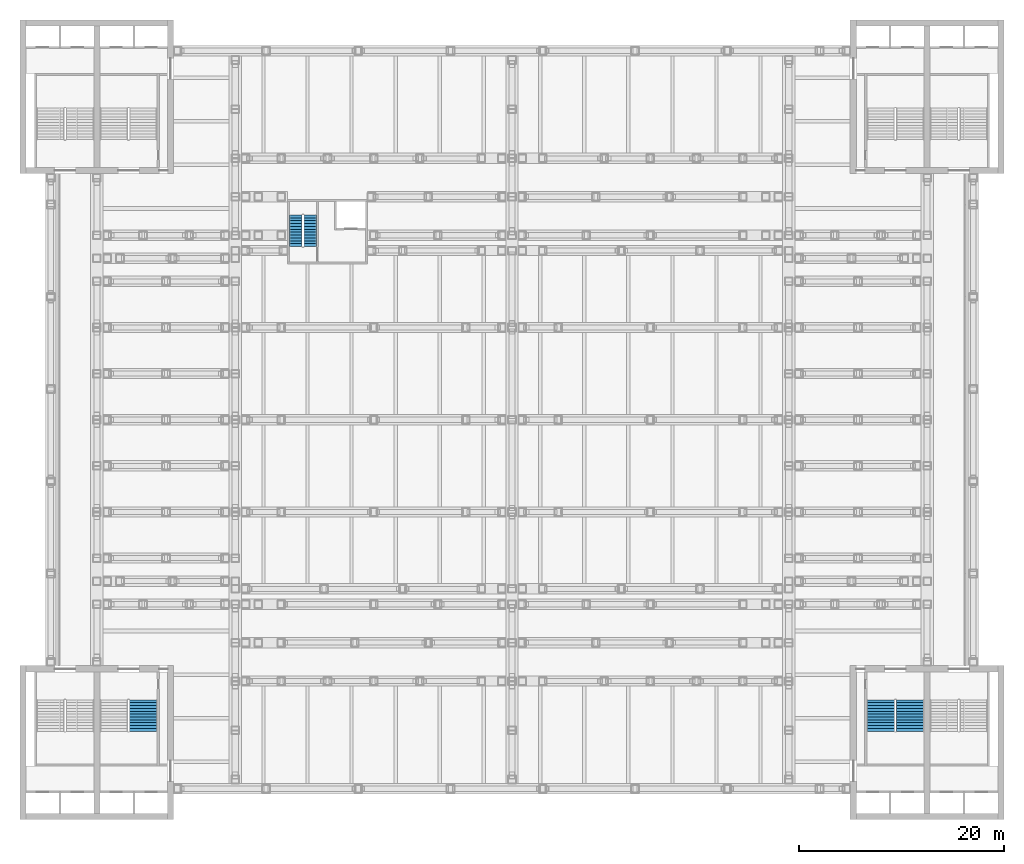
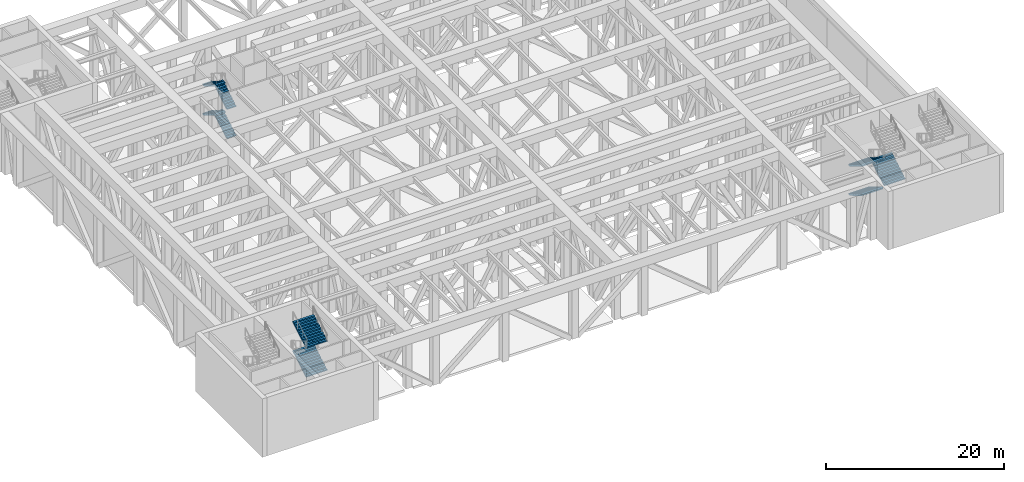
# One storey, part 13 of 20: 9 stair flights, 3 elements without a shape of their own.
"""IFC4 building model written with IfcOpenShell, lengths in metres."""

from ifc_helpers import new_model, si_unit, direction, frame, origin, place, context, subcontext, project, spatial, polyline, outline, extrude, material, type_object, element, aggregate, save


model = new_model("IFC4")

# Units and contexts
model_context = context("Model", 3, precision=1e-05, world=origin(), true_north=direction((0.0, 1.0)))
body_context = subcontext(model_context, "Body", "Model", "MODEL_VIEW")
ifc_project = project(units=[si_unit("LENGTHUNIT", "METRE"), si_unit("AREAUNIT", "SQUARE_METRE"), si_unit("VOLUMEUNIT", "CUBIC_METRE"), si_unit("PLANEANGLEUNIT", "RADIAN"), si_unit("MASSUNIT", "GRAM", prefix="KILO")], contexts=[model_context])

# Site, building, storey
site_placement = place(None, origin())
site = spatial("IfcSite", under=ifc_project, at=site_placement, CompositionType="ELEMENT")
building_placement = place(site_placement, origin())
building = spatial("IfcBuilding", under=site, at=building_placement, Name="Corbelhall Arena Tower", CompositionType="ELEMENT")
storey_placement = place(building_placement, frame((0.0, 0.0, 44.0)))
storey = spatial("IfcBuildingStorey", under=building, at=storey_placement, Name="L06", CompositionType="ELEMENT", Elevation=44.0)

# Stair, stair flights
ifc_material_1 = material(Name="Reinforced concrete C40/50", Category="concrete")
stair_type_1 = type_object("IfcStairType", Name="AR-EXIT-STAIR", PredefinedType="HALF_TURN_STAIR", material=ifc_material_1)
stair_1_placement = place(storey_placement, origin())
stair_1 = element("IfcStair", 1, at=stair_1_placement, inside=storey, type_object=stair_type_1, Name="L06 exit stair AS5", PredefinedType="HALF_TURN_STAIR")
stair_flight_type_1 = type_object("IfcStairFlightType", Name="AR-EXIT-FLIGHT", PredefinedType="STRAIGHT", material=ifc_material_1)
stair_flight_1_placement = place(storey_placement, frame((35.969970703125, -27.320068359375, 0.0), z_axis=(0.0, 0.0, 1.0), x_axis=(0.0, -1.0, 0.0)))
stair_flight_1 = element("IfcStairFlight", 2, at=stair_flight_1_placement, type_object=stair_flight_type_1, Name="AS5 flight 1", NumberOfRisers=12, NumberOfTreads=11, PredefinedType="STRAIGHT", RiserHeight=0.166666667, TreadLength=0.28, context=body_context, shape_type="SweptSolid", body=[
    extrude(outline(polyline([(0.0, 0.0), (0.0, 0.166748046875), (0.280029296875, 0.166748046875), (0.280029296875, 0.333251953125), (0.56005859375, 0.333251953125), (0.56005859375, 0.5), (0.840087890625, 0.5), (0.840087890625, 0.666748046875), (1.1201171875, 0.666748046875), (1.1201171875, 0.833251953125), (1.39990234375, 0.833251953125), (1.39990234375, 1.0), (1.679931640625, 1.0), (1.679931640625, 1.166748046875), (1.9599609375, 1.166748046875), (1.9599609375, 1.333251953125), (2.239990234375, 1.333251953125), (2.239990234375, 1.5), (2.52001953125, 1.5), (2.52001953125, 1.666748046875), (2.800048828125, 1.666748046875), (2.800048828125, 1.833251953125), (3.080078125, 1.833251953125), (3.080078125, 2.0), (3.080078125, 1.658935546875), (0.29296875, 0.0), (0.0, 0.0)])), frame((0.0, 1.35986328125, 0.0), z_axis=(0.0, -1.0, 0.0), x_axis=(1.0, 0.0, 0.0)), (0.0, 0.0, 1.0), 0.449951171875),
    extrude(outline(polyline([(0.0, 0.0), (0.0, 0.166748046875), (0.280029296875, 0.166748046875), (0.280029296875, 0.333251953125), (0.56005859375, 0.333251953125), (0.56005859375, 0.5), (0.840087890625, 0.5), (0.840087890625, 0.666748046875), (1.1201171875, 0.666748046875), (1.1201171875, 0.833251953125), (1.39990234375, 0.833251953125), (1.39990234375, 1.0), (1.679931640625, 1.0), (1.679931640625, 1.166748046875), (1.9599609375, 1.166748046875), (1.9599609375, 1.333251953125), (2.239990234375, 1.333251953125), (2.239990234375, 1.5), (2.52001953125, 1.5), (2.52001953125, 1.666748046875), (2.800048828125, 1.666748046875), (2.800048828125, 1.833251953125), (3.080078125, 1.833251953125), (3.080078125, 2.0), (3.080078125, 1.658935546875), (0.29296875, 0.0), (0.0, 0.0)])), frame((0.0, 0.906005859375, 0.0), z_axis=(0.0, -1.0, 0.0), x_axis=(1.0, 0.0, 0.0)), (0.0, 0.0, 1.0), 0.601318359375),
    extrude(outline(polyline([(0.0, 0.0), (0.0, 0.166748046875), (0.280029296875, 0.166748046875), (0.280029296875, 0.333251953125), (0.56005859375, 0.333251953125), (0.56005859375, 0.5), (0.840087890625, 0.5), (0.840087890625, 0.666748046875), (1.1201171875, 0.666748046875), (1.1201171875, 0.833251953125), (1.39990234375, 0.833251953125), (1.39990234375, 1.0), (1.679931640625, 1.0), (1.679931640625, 1.166748046875), (1.9599609375, 1.166748046875), (1.9599609375, 1.333251953125), (2.239990234375, 1.333251953125), (2.239990234375, 1.5), (2.52001953125, 1.5), (2.52001953125, 1.666748046875), (2.800048828125, 1.666748046875), (2.800048828125, 1.833251953125), (3.080078125, 1.833251953125), (3.080078125, 2.0), (3.080078125, 1.658935546875), (0.29296875, 0.0), (0.0, 0.0)])), frame((0.0, 0.30078125, 0.0), z_axis=(0.0, -1.0, 0.0), x_axis=(1.0, 0.0, 0.0)), (0.0, 0.0, 1.0), 0.601318359375),
    extrude(outline(polyline([(0.0, 0.0), (0.0, 0.166748046875), (0.280029296875, 0.166748046875), (0.280029296875, 0.333251953125), (0.56005859375, 0.333251953125), (0.56005859375, 0.5), (0.840087890625, 0.5), (0.840087890625, 0.666748046875), (1.1201171875, 0.666748046875), (1.1201171875, 0.833251953125), (1.39990234375, 0.833251953125), (1.39990234375, 1.0), (1.679931640625, 1.0), (1.679931640625, 1.166748046875), (1.9599609375, 1.166748046875), (1.9599609375, 1.333251953125), (2.239990234375, 1.333251953125), (2.239990234375, 1.5), (2.52001953125, 1.5), (2.52001953125, 1.666748046875), (2.800048828125, 1.666748046875), (2.800048828125, 1.833251953125), (3.080078125, 1.833251953125), (3.080078125, 2.0), (3.080078125, 1.658935546875), (0.29296875, 0.0), (0.0, 0.0)])), frame((0.0, -0.3046875, 0.0), z_axis=(0.0, -1.0, 0.0), x_axis=(1.0, 0.0, 0.0)), (0.0, 0.0, 1.0), 0.601318359375),
    extrude(outline(polyline([(0.0, 0.0), (0.0, 0.166748046875), (0.280029296875, 0.166748046875), (0.280029296875, 0.333251953125), (0.56005859375, 0.333251953125), (0.56005859375, 0.5), (0.840087890625, 0.5), (0.840087890625, 0.666748046875), (1.1201171875, 0.666748046875), (1.1201171875, 0.833251953125), (1.39990234375, 0.833251953125), (1.39990234375, 1.0), (1.679931640625, 1.0), (1.679931640625, 1.166748046875), (1.9599609375, 1.166748046875), (1.9599609375, 1.333251953125), (2.239990234375, 1.333251953125), (2.239990234375, 1.5), (2.52001953125, 1.5), (2.52001953125, 1.666748046875), (2.800048828125, 1.666748046875), (2.800048828125, 1.833251953125), (3.080078125, 1.833251953125), (3.080078125, 2.0), (3.080078125, 1.658935546875), (0.29296875, 0.0), (0.0, 0.0)])), frame((0.0, -0.909912109375, 0.0), z_axis=(0.0, -1.0, 0.0), x_axis=(1.0, 0.0, 0.0)), (0.0, 0.0, 1.0), 0.449951171875),
])
stair_flight_2_placement = place(storey_placement, frame((38.840087890625, -30.39990234375, 2.0), z_axis=(0.0, 0.0, 1.0), x_axis=(0.0, 1.0, 0.0)))
stair_flight_2 = element("IfcStairFlight", 3, at=stair_flight_2_placement, type_object=stair_flight_type_1, Name="AS5 flight 2", NumberOfRisers=12, NumberOfTreads=11, PredefinedType="STRAIGHT", RiserHeight=0.166666667, TreadLength=0.28, context=body_context, shape_type="SweptSolid", body=[
    extrude(outline(polyline([(0.0, 0.0), (0.0, 0.166748046875), (0.280029296875, 0.166748046875), (0.280029296875, 0.333251953125), (0.56005859375, 0.333251953125), (0.56005859375, 0.5), (0.840087890625, 0.5), (0.840087890625, 0.666748046875), (1.1201171875, 0.666748046875), (1.1201171875, 0.833251953125), (1.39990234375, 0.833251953125), (1.39990234375, 1.0), (1.679931640625, 1.0), (1.679931640625, 1.166748046875), (1.9599609375, 1.166748046875), (1.9599609375, 1.333251953125), (2.239990234375, 1.333251953125), (2.239990234375, 1.5), (2.52001953125, 1.5), (2.52001953125, 1.666748046875), (2.800048828125, 1.666748046875), (2.800048828125, 1.833251953125), (3.080078125, 1.833251953125), (3.080078125, 2.0), (3.080078125, 1.658935546875), (0.29296875, 0.0), (0.0, 0.0)])), frame((0.0, 1.35986328125, 0.0), z_axis=(0.0, -1.0, 0.0), x_axis=(1.0, 0.0, 0.0)), (0.0, 0.0, 1.0), 0.449951171875),
    extrude(outline(polyline([(0.0, 0.0), (0.0, 0.166748046875), (0.280029296875, 0.166748046875), (0.280029296875, 0.333251953125), (0.56005859375, 0.333251953125), (0.56005859375, 0.5), (0.840087890625, 0.5), (0.840087890625, 0.666748046875), (1.1201171875, 0.666748046875), (1.1201171875, 0.833251953125), (1.39990234375, 0.833251953125), (1.39990234375, 1.0), (1.679931640625, 1.0), (1.679931640625, 1.166748046875), (1.9599609375, 1.166748046875), (1.9599609375, 1.333251953125), (2.239990234375, 1.333251953125), (2.239990234375, 1.5), (2.52001953125, 1.5), (2.52001953125, 1.666748046875), (2.800048828125, 1.666748046875), (2.800048828125, 1.833251953125), (3.080078125, 1.833251953125), (3.080078125, 2.0), (3.080078125, 1.658935546875), (0.29296875, 0.0), (0.0, 0.0)])), frame((0.0, 0.906005859375, 0.0), z_axis=(0.0, -1.0, 0.0), x_axis=(1.0, 0.0, 0.0)), (0.0, 0.0, 1.0), 0.601318359375),
    extrude(outline(polyline([(0.0, 0.0), (0.0, 0.166748046875), (0.280029296875, 0.166748046875), (0.280029296875, 0.333251953125), (0.56005859375, 0.333251953125), (0.56005859375, 0.5), (0.840087890625, 0.5), (0.840087890625, 0.666748046875), (1.1201171875, 0.666748046875), (1.1201171875, 0.833251953125), (1.39990234375, 0.833251953125), (1.39990234375, 1.0), (1.679931640625, 1.0), (1.679931640625, 1.166748046875), (1.9599609375, 1.166748046875), (1.9599609375, 1.333251953125), (2.239990234375, 1.333251953125), (2.239990234375, 1.5), (2.52001953125, 1.5), (2.52001953125, 1.666748046875), (2.800048828125, 1.666748046875), (2.800048828125, 1.833251953125), (3.080078125, 1.833251953125), (3.080078125, 2.0), (3.080078125, 1.658935546875), (0.29296875, 0.0), (0.0, 0.0)])), frame((0.0, 0.30078125, 0.0), z_axis=(0.0, -1.0, 0.0), x_axis=(1.0, 0.0, 0.0)), (0.0, 0.0, 1.0), 0.601318359375),
    extrude(outline(polyline([(0.0, 0.0), (0.0, 0.166748046875), (0.280029296875, 0.166748046875), (0.280029296875, 0.333251953125), (0.56005859375, 0.333251953125), (0.56005859375, 0.5), (0.840087890625, 0.5), (0.840087890625, 0.666748046875), (1.1201171875, 0.666748046875), (1.1201171875, 0.833251953125), (1.39990234375, 0.833251953125), (1.39990234375, 1.0), (1.679931640625, 1.0), (1.679931640625, 1.166748046875), (1.9599609375, 1.166748046875), (1.9599609375, 1.333251953125), (2.239990234375, 1.333251953125), (2.239990234375, 1.5), (2.52001953125, 1.5), (2.52001953125, 1.666748046875), (2.800048828125, 1.666748046875), (2.800048828125, 1.833251953125), (3.080078125, 1.833251953125), (3.080078125, 2.0), (3.080078125, 1.658935546875), (0.29296875, 0.0), (0.0, 0.0)])), frame((0.0, -0.3046875, 0.0), z_axis=(0.0, -1.0, 0.0), x_axis=(1.0, 0.0, 0.0)), (0.0, 0.0, 1.0), 0.601318359375),
    extrude(outline(polyline([(0.0, 0.0), (0.0, 0.166748046875), (0.280029296875, 0.166748046875), (0.280029296875, 0.333251953125), (0.56005859375, 0.333251953125), (0.56005859375, 0.5), (0.840087890625, 0.5), (0.840087890625, 0.666748046875), (1.1201171875, 0.666748046875), (1.1201171875, 0.833251953125), (1.39990234375, 0.833251953125), (1.39990234375, 1.0), (1.679931640625, 1.0), (1.679931640625, 1.166748046875), (1.9599609375, 1.166748046875), (1.9599609375, 1.333251953125), (2.239990234375, 1.333251953125), (2.239990234375, 1.5), (2.52001953125, 1.5), (2.52001953125, 1.666748046875), (2.800048828125, 1.666748046875), (2.800048828125, 1.833251953125), (3.080078125, 1.833251953125), (3.080078125, 2.0), (3.080078125, 1.658935546875), (0.29296875, 0.0), (0.0, 0.0)])), frame((0.0, -0.909912109375, 0.0), z_axis=(0.0, -1.0, 0.0), x_axis=(1.0, 0.0, 0.0)), (0.0, 0.0, 1.0), 0.449951171875),
])
stair_flight_3_placement = place(storey_placement, frame((35.969970703125, -27.320068359375, 4.0), z_axis=(0.0, 0.0, 1.0), x_axis=(0.0, -1.0, 0.0)))
stair_flight_3 = element("IfcStairFlight", 4, at=stair_flight_3_placement, type_object=stair_flight_type_1, Name="AS5 flight 3", NumberOfRisers=12, NumberOfTreads=11, PredefinedType="STRAIGHT", RiserHeight=0.166666667, TreadLength=0.28, context=body_context, shape_type="SweptSolid", body=[
    extrude(outline(polyline([(0.0, 0.0), (0.0, 0.166748046875), (0.280029296875, 0.166748046875), (0.280029296875, 0.333251953125), (0.56005859375, 0.333251953125), (0.56005859375, 0.5), (0.840087890625, 0.5), (0.840087890625, 0.666748046875), (1.1201171875, 0.666748046875), (1.1201171875, 0.833251953125), (1.39990234375, 0.833251953125), (1.39990234375, 1.0), (1.679931640625, 1.0), (1.679931640625, 1.166748046875), (1.9599609375, 1.166748046875), (1.9599609375, 1.333251953125), (2.239990234375, 1.333251953125), (2.239990234375, 1.5), (2.52001953125, 1.5), (2.52001953125, 1.666748046875), (2.800048828125, 1.666748046875), (2.800048828125, 1.833251953125), (3.080078125, 1.833251953125), (3.080078125, 2.0), (3.080078125, 1.658935546875), (0.29296875, 0.0), (0.0, 0.0)])), frame((0.0, 1.35986328125, 0.0), z_axis=(0.0, -1.0, 0.0), x_axis=(1.0, 0.0, 0.0)), (0.0, 0.0, 1.0), 0.449951171875),
    extrude(outline(polyline([(0.0, 0.0), (0.0, 0.166748046875), (0.280029296875, 0.166748046875), (0.280029296875, 0.333251953125), (0.56005859375, 0.333251953125), (0.56005859375, 0.5), (0.840087890625, 0.5), (0.840087890625, 0.666748046875), (1.1201171875, 0.666748046875), (1.1201171875, 0.833251953125), (1.39990234375, 0.833251953125), (1.39990234375, 1.0), (1.679931640625, 1.0), (1.679931640625, 1.166748046875), (1.9599609375, 1.166748046875), (1.9599609375, 1.333251953125), (2.239990234375, 1.333251953125), (2.239990234375, 1.5), (2.52001953125, 1.5), (2.52001953125, 1.666748046875), (2.800048828125, 1.666748046875), (2.800048828125, 1.833251953125), (3.080078125, 1.833251953125), (3.080078125, 2.0), (3.080078125, 1.658935546875), (0.29296875, 0.0), (0.0, 0.0)])), frame((0.0, 0.906005859375, 0.0), z_axis=(0.0, -1.0, 0.0), x_axis=(1.0, 0.0, 0.0)), (0.0, 0.0, 1.0), 0.601318359375),
    extrude(outline(polyline([(0.0, 0.0), (0.0, 0.166748046875), (0.280029296875, 0.166748046875), (0.280029296875, 0.333251953125), (0.56005859375, 0.333251953125), (0.56005859375, 0.5), (0.840087890625, 0.5), (0.840087890625, 0.666748046875), (1.1201171875, 0.666748046875), (1.1201171875, 0.833251953125), (1.39990234375, 0.833251953125), (1.39990234375, 1.0), (1.679931640625, 1.0), (1.679931640625, 1.166748046875), (1.9599609375, 1.166748046875), (1.9599609375, 1.333251953125), (2.239990234375, 1.333251953125), (2.239990234375, 1.5), (2.52001953125, 1.5), (2.52001953125, 1.666748046875), (2.800048828125, 1.666748046875), (2.800048828125, 1.833251953125), (3.080078125, 1.833251953125), (3.080078125, 2.0), (3.080078125, 1.658935546875), (0.29296875, 0.0), (0.0, 0.0)])), frame((0.0, 0.30078125, 0.0), z_axis=(0.0, -1.0, 0.0), x_axis=(1.0, 0.0, 0.0)), (0.0, 0.0, 1.0), 0.601318359375),
    extrude(outline(polyline([(0.0, 0.0), (0.0, 0.166748046875), (0.280029296875, 0.166748046875), (0.280029296875, 0.333251953125), (0.56005859375, 0.333251953125), (0.56005859375, 0.5), (0.840087890625, 0.5), (0.840087890625, 0.666748046875), (1.1201171875, 0.666748046875), (1.1201171875, 0.833251953125), (1.39990234375, 0.833251953125), (1.39990234375, 1.0), (1.679931640625, 1.0), (1.679931640625, 1.166748046875), (1.9599609375, 1.166748046875), (1.9599609375, 1.333251953125), (2.239990234375, 1.333251953125), (2.239990234375, 1.5), (2.52001953125, 1.5), (2.52001953125, 1.666748046875), (2.800048828125, 1.666748046875), (2.800048828125, 1.833251953125), (3.080078125, 1.833251953125), (3.080078125, 2.0), (3.080078125, 1.658935546875), (0.29296875, 0.0), (0.0, 0.0)])), frame((0.0, -0.3046875, 0.0), z_axis=(0.0, -1.0, 0.0), x_axis=(1.0, 0.0, 0.0)), (0.0, 0.0, 1.0), 0.601318359375),
    extrude(outline(polyline([(0.0, 0.0), (0.0, 0.166748046875), (0.280029296875, 0.166748046875), (0.280029296875, 0.333251953125), (0.56005859375, 0.333251953125), (0.56005859375, 0.5), (0.840087890625, 0.5), (0.840087890625, 0.666748046875), (1.1201171875, 0.666748046875), (1.1201171875, 0.833251953125), (1.39990234375, 0.833251953125), (1.39990234375, 1.0), (1.679931640625, 1.0), (1.679931640625, 1.166748046875), (1.9599609375, 1.166748046875), (1.9599609375, 1.333251953125), (2.239990234375, 1.333251953125), (2.239990234375, 1.5), (2.52001953125, 1.5), (2.52001953125, 1.666748046875), (2.800048828125, 1.666748046875), (2.800048828125, 1.833251953125), (3.080078125, 1.833251953125), (3.080078125, 2.0), (3.080078125, 1.658935546875), (0.29296875, 0.0), (0.0, 0.0)])), frame((0.0, -0.909912109375, 0.0), z_axis=(0.0, -1.0, 0.0), x_axis=(1.0, 0.0, 0.0)), (0.0, 0.0, 1.0), 0.449951171875),
])
aggregate(stair_1, [stair_flight_1, stair_flight_2, stair_flight_3])

stair_2_placement = place(storey_placement, origin())
stair_2 = element("IfcStair", 5, at=stair_2_placement, inside=storey, type_object=stair_type_1, Name="L06 exit stair AS7", PredefinedType="HALF_TURN_STAIR")
stair_flight_4_placement = place(storey_placement, frame((-35.969970703125, -30.39990234375, 2.0), z_axis=(0.0, 0.0, 1.0), x_axis=(0.0, 1.0, 0.0)))
stair_flight_4 = element("IfcStairFlight", 6, at=stair_flight_4_placement, type_object=stair_flight_type_1, Name="AS7 flight 2", NumberOfRisers=12, NumberOfTreads=11, PredefinedType="STRAIGHT", RiserHeight=0.166666667, TreadLength=0.28, context=body_context, shape_type="SweptSolid", body=[
    extrude(outline(polyline([(0.0, 0.0), (0.0, 0.166748046875), (0.280029296875, 0.166748046875), (0.280029296875, 0.333251953125), (0.56005859375, 0.333251953125), (0.56005859375, 0.5), (0.840087890625, 0.5), (0.840087890625, 0.666748046875), (1.1201171875, 0.666748046875), (1.1201171875, 0.833251953125), (1.39990234375, 0.833251953125), (1.39990234375, 1.0), (1.679931640625, 1.0), (1.679931640625, 1.166748046875), (1.9599609375, 1.166748046875), (1.9599609375, 1.333251953125), (2.239990234375, 1.333251953125), (2.239990234375, 1.5), (2.52001953125, 1.5), (2.52001953125, 1.666748046875), (2.800048828125, 1.666748046875), (2.800048828125, 1.833251953125), (3.080078125, 1.833251953125), (3.080078125, 2.0), (3.080078125, 1.658935546875), (0.29296875, 0.0), (0.0, 0.0)])), frame((0.0, 1.35986328125, 0.0), z_axis=(0.0, -1.0, 0.0), x_axis=(1.0, 0.0, 0.0)), (0.0, 0.0, 1.0), 0.449951171875),
    extrude(outline(polyline([(0.0, 0.0), (0.0, 0.166748046875), (0.280029296875, 0.166748046875), (0.280029296875, 0.333251953125), (0.56005859375, 0.333251953125), (0.56005859375, 0.5), (0.840087890625, 0.5), (0.840087890625, 0.666748046875), (1.1201171875, 0.666748046875), (1.1201171875, 0.833251953125), (1.39990234375, 0.833251953125), (1.39990234375, 1.0), (1.679931640625, 1.0), (1.679931640625, 1.166748046875), (1.9599609375, 1.166748046875), (1.9599609375, 1.333251953125), (2.239990234375, 1.333251953125), (2.239990234375, 1.5), (2.52001953125, 1.5), (2.52001953125, 1.666748046875), (2.800048828125, 1.666748046875), (2.800048828125, 1.833251953125), (3.080078125, 1.833251953125), (3.080078125, 2.0), (3.080078125, 1.658935546875), (0.29296875, 0.0), (0.0, 0.0)])), frame((0.0, 0.906005859375, 0.0), z_axis=(0.0, -1.0, 0.0), x_axis=(1.0, 0.0, 0.0)), (0.0, 0.0, 1.0), 0.601318359375),
    extrude(outline(polyline([(0.0, 0.0), (0.0, 0.166748046875), (0.280029296875, 0.166748046875), (0.280029296875, 0.333251953125), (0.56005859375, 0.333251953125), (0.56005859375, 0.5), (0.840087890625, 0.5), (0.840087890625, 0.666748046875), (1.1201171875, 0.666748046875), (1.1201171875, 0.833251953125), (1.39990234375, 0.833251953125), (1.39990234375, 1.0), (1.679931640625, 1.0), (1.679931640625, 1.166748046875), (1.9599609375, 1.166748046875), (1.9599609375, 1.333251953125), (2.239990234375, 1.333251953125), (2.239990234375, 1.5), (2.52001953125, 1.5), (2.52001953125, 1.666748046875), (2.800048828125, 1.666748046875), (2.800048828125, 1.833251953125), (3.080078125, 1.833251953125), (3.080078125, 2.0), (3.080078125, 1.658935546875), (0.29296875, 0.0), (0.0, 0.0)])), frame((0.0, 0.30078125, 0.0), z_axis=(0.0, -1.0, 0.0), x_axis=(1.0, 0.0, 0.0)), (0.0, 0.0, 1.0), 0.601318359375),
    extrude(outline(polyline([(0.0, 0.0), (0.0, 0.166748046875), (0.280029296875, 0.166748046875), (0.280029296875, 0.333251953125), (0.56005859375, 0.333251953125), (0.56005859375, 0.5), (0.840087890625, 0.5), (0.840087890625, 0.666748046875), (1.1201171875, 0.666748046875), (1.1201171875, 0.833251953125), (1.39990234375, 0.833251953125), (1.39990234375, 1.0), (1.679931640625, 1.0), (1.679931640625, 1.166748046875), (1.9599609375, 1.166748046875), (1.9599609375, 1.333251953125), (2.239990234375, 1.333251953125), (2.239990234375, 1.5), (2.52001953125, 1.5), (2.52001953125, 1.666748046875), (2.800048828125, 1.666748046875), (2.800048828125, 1.833251953125), (3.080078125, 1.833251953125), (3.080078125, 2.0), (3.080078125, 1.658935546875), (0.29296875, 0.0), (0.0, 0.0)])), frame((0.0, -0.3046875, 0.0), z_axis=(0.0, -1.0, 0.0), x_axis=(1.0, 0.0, 0.0)), (0.0, 0.0, 1.0), 0.601318359375),
    extrude(outline(polyline([(0.0, 0.0), (0.0, 0.166748046875), (0.280029296875, 0.166748046875), (0.280029296875, 0.333251953125), (0.56005859375, 0.333251953125), (0.56005859375, 0.5), (0.840087890625, 0.5), (0.840087890625, 0.666748046875), (1.1201171875, 0.666748046875), (1.1201171875, 0.833251953125), (1.39990234375, 0.833251953125), (1.39990234375, 1.0), (1.679931640625, 1.0), (1.679931640625, 1.166748046875), (1.9599609375, 1.166748046875), (1.9599609375, 1.333251953125), (2.239990234375, 1.333251953125), (2.239990234375, 1.5), (2.52001953125, 1.5), (2.52001953125, 1.666748046875), (2.800048828125, 1.666748046875), (2.800048828125, 1.833251953125), (3.080078125, 1.833251953125), (3.080078125, 2.0), (3.080078125, 1.658935546875), (0.29296875, 0.0), (0.0, 0.0)])), frame((0.0, -0.909912109375, 0.0), z_axis=(0.0, -1.0, 0.0), x_axis=(1.0, 0.0, 0.0)), (0.0, 0.0, 1.0), 0.449951171875),
])
stair_flight_5_placement = place(storey_placement, frame((-35.969970703125, -30.39990234375, 6.0), z_axis=(0.0, 0.0, 1.0), x_axis=(0.0, 1.0, 0.0)))
stair_flight_5 = element("IfcStairFlight", 7, at=stair_flight_5_placement, type_object=stair_flight_type_1, Name="AS7 flight 4", NumberOfRisers=12, NumberOfTreads=11, PredefinedType="STRAIGHT", RiserHeight=0.166666667, TreadLength=0.28, context=body_context, shape_type="SweptSolid", body=[
    extrude(outline(polyline([(0.0, 0.0), (0.0, 0.166748046875), (0.280029296875, 0.166748046875), (0.280029296875, 0.333251953125), (0.56005859375, 0.333251953125), (0.56005859375, 0.5), (0.840087890625, 0.5), (0.840087890625, 0.666748046875), (1.1201171875, 0.666748046875), (1.1201171875, 0.833251953125), (1.39990234375, 0.833251953125), (1.39990234375, 1.0), (1.679931640625, 1.0), (1.679931640625, 1.166748046875), (1.9599609375, 1.166748046875), (1.9599609375, 1.333251953125), (2.239990234375, 1.333251953125), (2.239990234375, 1.5), (2.52001953125, 1.5), (2.52001953125, 1.666748046875), (2.800048828125, 1.666748046875), (2.800048828125, 1.833251953125), (3.080078125, 1.833251953125), (3.080078125, 2.0), (3.080078125, 1.658935546875), (0.29296875, 0.0), (0.0, 0.0)])), frame((0.0, 1.35986328125, 0.0), z_axis=(0.0, -1.0, 0.0), x_axis=(1.0, 0.0, 0.0)), (0.0, 0.0, 1.0), 0.449951171875),
    extrude(outline(polyline([(0.0, 0.0), (0.0, 0.166748046875), (0.280029296875, 0.166748046875), (0.280029296875, 0.333251953125), (0.56005859375, 0.333251953125), (0.56005859375, 0.5), (0.840087890625, 0.5), (0.840087890625, 0.666748046875), (1.1201171875, 0.666748046875), (1.1201171875, 0.833251953125), (1.39990234375, 0.833251953125), (1.39990234375, 1.0), (1.679931640625, 1.0), (1.679931640625, 1.166748046875), (1.9599609375, 1.166748046875), (1.9599609375, 1.333251953125), (2.239990234375, 1.333251953125), (2.239990234375, 1.5), (2.52001953125, 1.5), (2.52001953125, 1.666748046875), (2.800048828125, 1.666748046875), (2.800048828125, 1.833251953125), (3.080078125, 1.833251953125), (3.080078125, 2.0), (3.080078125, 1.658935546875), (0.29296875, 0.0), (0.0, 0.0)])), frame((0.0, 0.906005859375, 0.0), z_axis=(0.0, -1.0, 0.0), x_axis=(1.0, 0.0, 0.0)), (0.0, 0.0, 1.0), 0.601318359375),
    extrude(outline(polyline([(0.0, 0.0), (0.0, 0.166748046875), (0.280029296875, 0.166748046875), (0.280029296875, 0.333251953125), (0.56005859375, 0.333251953125), (0.56005859375, 0.5), (0.840087890625, 0.5), (0.840087890625, 0.666748046875), (1.1201171875, 0.666748046875), (1.1201171875, 0.833251953125), (1.39990234375, 0.833251953125), (1.39990234375, 1.0), (1.679931640625, 1.0), (1.679931640625, 1.166748046875), (1.9599609375, 1.166748046875), (1.9599609375, 1.333251953125), (2.239990234375, 1.333251953125), (2.239990234375, 1.5), (2.52001953125, 1.5), (2.52001953125, 1.666748046875), (2.800048828125, 1.666748046875), (2.800048828125, 1.833251953125), (3.080078125, 1.833251953125), (3.080078125, 2.0), (3.080078125, 1.658935546875), (0.29296875, 0.0), (0.0, 0.0)])), frame((0.0, 0.30078125, 0.0), z_axis=(0.0, -1.0, 0.0), x_axis=(1.0, 0.0, 0.0)), (0.0, 0.0, 1.0), 0.601318359375),
    extrude(outline(polyline([(0.0, 0.0), (0.0, 0.166748046875), (0.280029296875, 0.166748046875), (0.280029296875, 0.333251953125), (0.56005859375, 0.333251953125), (0.56005859375, 0.5), (0.840087890625, 0.5), (0.840087890625, 0.666748046875), (1.1201171875, 0.666748046875), (1.1201171875, 0.833251953125), (1.39990234375, 0.833251953125), (1.39990234375, 1.0), (1.679931640625, 1.0), (1.679931640625, 1.166748046875), (1.9599609375, 1.166748046875), (1.9599609375, 1.333251953125), (2.239990234375, 1.333251953125), (2.239990234375, 1.5), (2.52001953125, 1.5), (2.52001953125, 1.666748046875), (2.800048828125, 1.666748046875), (2.800048828125, 1.833251953125), (3.080078125, 1.833251953125), (3.080078125, 2.0), (3.080078125, 1.658935546875), (0.29296875, 0.0), (0.0, 0.0)])), frame((0.0, -0.3046875, 0.0), z_axis=(0.0, -1.0, 0.0), x_axis=(1.0, 0.0, 0.0)), (0.0, 0.0, 1.0), 0.601318359375),
    extrude(outline(polyline([(0.0, 0.0), (0.0, 0.166748046875), (0.280029296875, 0.166748046875), (0.280029296875, 0.333251953125), (0.56005859375, 0.333251953125), (0.56005859375, 0.5), (0.840087890625, 0.5), (0.840087890625, 0.666748046875), (1.1201171875, 0.666748046875), (1.1201171875, 0.833251953125), (1.39990234375, 0.833251953125), (1.39990234375, 1.0), (1.679931640625, 1.0), (1.679931640625, 1.166748046875), (1.9599609375, 1.166748046875), (1.9599609375, 1.333251953125), (2.239990234375, 1.333251953125), (2.239990234375, 1.5), (2.52001953125, 1.5), (2.52001953125, 1.666748046875), (2.800048828125, 1.666748046875), (2.800048828125, 1.833251953125), (3.080078125, 1.833251953125), (3.080078125, 2.0), (3.080078125, 1.658935546875), (0.29296875, 0.0), (0.0, 0.0)])), frame((0.0, -0.909912109375, 0.0), z_axis=(0.0, -1.0, 0.0), x_axis=(1.0, 0.0, 0.0)), (0.0, 0.0, 1.0), 0.449951171875),
])
aggregate(stair_2, [stair_flight_4, stair_flight_5])

ifc_material_2 = material(Name="Concrete C40/50", Category="concrete")
stair_type_2 = type_object("IfcStairType", Name="IN-ST-TOWER", PredefinedType="HALF_TURN_STAIR", material=ifc_material_2)
stair_3_placement = place(storey_placement, origin())
stair_3 = element("IfcStair", 8, at=stair_3_placement, inside=storey, type_object=stair_type_2, Name="L06 Exit stair AS17", PredefinedType="HALF_TURN_STAIR")
stair_flight_type_2 = type_object("IfcStairFlightType", Name="IN-SFL-RC", PredefinedType="STRAIGHT", material=ifc_material_2)
stair_flight_6_placement = place(storey_placement, frame((-19.695068359375, 16.89990234375, 0.0), z_axis=(0.0, 0.0, 1.0), x_axis=(0.0, 1.0, 0.0)))
stair_flight_6 = element("IfcStairFlight", 9, at=stair_flight_6_placement, type_object=stair_flight_type_2, Name="AS17 flight 1", NumberOfRisers=12, NumberOfTreads=11, PredefinedType="STRAIGHT", RiserHeight=0.166666667, TreadLength=0.28, context=body_context, shape_type="SweptSolid", body=[
    extrude(outline(polyline([(0.0, 0.0), (0.0, 0.166748046875), (0.280029296875, 0.166748046875), (0.280029296875, 0.333251953125), (0.56005859375, 0.333251953125), (0.56005859375, 0.5), (0.840087890625, 0.5), (0.840087890625, 0.666748046875), (1.1201171875, 0.666748046875), (1.1201171875, 0.833251953125), (1.39990234375, 0.833251953125), (1.39990234375, 1.0), (1.679931640625, 1.0), (1.679931640625, 1.166748046875), (1.9599609375, 1.166748046875), (1.9599609375, 1.333251953125), (2.239990234375, 1.333251953125), (2.239990234375, 1.5), (2.52001953125, 1.5), (2.52001953125, 1.666748046875), (2.800048828125, 1.666748046875), (2.800048828125, 1.833251953125), (3.080078125, 1.833251953125), (3.080078125, 2.0), (3.080078125, 1.658935546875), (0.29296875, 0.0), (0.0, 0.0)])), frame((0.0, 0.60009765625, 0.0), z_axis=(0.0, -1.0, 0.0), x_axis=(1.0, 0.0, 0.0)), (0.0, 0.0, 1.0), 1.199951171875),
])
stair_flight_7_placement = place(storey_placement, frame((-21.094970703125, 19.97998046875, 2.0), z_axis=(0.0, 0.0, 1.0), x_axis=(0.0, -1.0, 0.0)))
stair_flight_7 = element("IfcStairFlight", 10, at=stair_flight_7_placement, type_object=stair_flight_type_2, Name="AS17 flight 2", NumberOfRisers=12, NumberOfTreads=11, PredefinedType="STRAIGHT", RiserHeight=0.166666667, TreadLength=0.28, context=body_context, shape_type="SweptSolid", body=[
    extrude(outline(polyline([(0.0, 0.0), (0.0, 0.166748046875), (0.280029296875, 0.166748046875), (0.280029296875, 0.333251953125), (0.56005859375, 0.333251953125), (0.56005859375, 0.5), (0.840087890625, 0.5), (0.840087890625, 0.666748046875), (1.1201171875, 0.666748046875), (1.1201171875, 0.833251953125), (1.39990234375, 0.833251953125), (1.39990234375, 1.0), (1.679931640625, 1.0), (1.679931640625, 1.166748046875), (1.9599609375, 1.166748046875), (1.9599609375, 1.333251953125), (2.239990234375, 1.333251953125), (2.239990234375, 1.5), (2.52001953125, 1.5), (2.52001953125, 1.666748046875), (2.800048828125, 1.666748046875), (2.800048828125, 1.833251953125), (3.080078125, 1.833251953125), (3.080078125, 2.0), (3.080078125, 1.658935546875), (0.29296875, 0.0), (0.0, 0.0)])), frame((0.0, 0.60009765625, 0.0), z_axis=(0.0, -1.0, 0.0), x_axis=(1.0, 0.0, 0.0)), (0.0, 0.0, 1.0), 1.199951171875),
])
stair_flight_8_placement = place(storey_placement, frame((-19.695068359375, 16.89990234375, 4.0), z_axis=(0.0, 0.0, 1.0), x_axis=(0.0, 1.0, 0.0)))
stair_flight_8 = element("IfcStairFlight", 11, at=stair_flight_8_placement, type_object=stair_flight_type_2, Name="AS17 flight 3", NumberOfRisers=12, NumberOfTreads=11, PredefinedType="STRAIGHT", RiserHeight=0.166666667, TreadLength=0.28, context=body_context, shape_type="SweptSolid", body=[
    extrude(outline(polyline([(0.0, 0.0), (0.0, 0.166748046875), (0.280029296875, 0.166748046875), (0.280029296875, 0.333251953125), (0.56005859375, 0.333251953125), (0.56005859375, 0.5), (0.840087890625, 0.5), (0.840087890625, 0.666748046875), (1.1201171875, 0.666748046875), (1.1201171875, 0.833251953125), (1.39990234375, 0.833251953125), (1.39990234375, 1.0), (1.679931640625, 1.0), (1.679931640625, 1.166748046875), (1.9599609375, 1.166748046875), (1.9599609375, 1.333251953125), (2.239990234375, 1.333251953125), (2.239990234375, 1.5), (2.52001953125, 1.5), (2.52001953125, 1.666748046875), (2.800048828125, 1.666748046875), (2.800048828125, 1.833251953125), (3.080078125, 1.833251953125), (3.080078125, 2.0), (3.080078125, 1.658935546875), (0.29296875, 0.0), (0.0, 0.0)])), frame((0.0, 0.60009765625, 0.0), z_axis=(0.0, -1.0, 0.0), x_axis=(1.0, 0.0, 0.0)), (0.0, 0.0, 1.0), 1.199951171875),
])
stair_flight_9_placement = place(storey_placement, frame((-21.094970703125, 19.97998046875, 6.0), z_axis=(0.0, 0.0, 1.0), x_axis=(0.0, -1.0, 0.0)))
stair_flight_9 = element("IfcStairFlight", 12, at=stair_flight_9_placement, type_object=stair_flight_type_2, Name="AS17 flight 4", NumberOfRisers=12, NumberOfTreads=11, PredefinedType="STRAIGHT", RiserHeight=0.166666667, TreadLength=0.28, context=body_context, shape_type="SweptSolid", body=[
    extrude(outline(polyline([(0.0, 0.0), (0.0, 0.166748046875), (0.280029296875, 0.166748046875), (0.280029296875, 0.333251953125), (0.56005859375, 0.333251953125), (0.56005859375, 0.5), (0.840087890625, 0.5), (0.840087890625, 0.666748046875), (1.1201171875, 0.666748046875), (1.1201171875, 0.833251953125), (1.39990234375, 0.833251953125), (1.39990234375, 1.0), (1.679931640625, 1.0), (1.679931640625, 1.166748046875), (1.9599609375, 1.166748046875), (1.9599609375, 1.333251953125), (2.239990234375, 1.333251953125), (2.239990234375, 1.5), (2.52001953125, 1.5), (2.52001953125, 1.666748046875), (2.800048828125, 1.666748046875), (2.800048828125, 1.833251953125), (3.080078125, 1.833251953125), (3.080078125, 2.0), (3.080078125, 1.658935546875), (0.29296875, 0.0), (0.0, 0.0)])), frame((0.0, 0.60009765625, 0.0), z_axis=(0.0, -1.0, 0.0), x_axis=(1.0, 0.0, 0.0)), (0.0, 0.0, 1.0), 1.199951171875),
])
aggregate(stair_3, [stair_flight_6, stair_flight_7, stair_flight_8, stair_flight_9])

save(model, "model.ifc")
